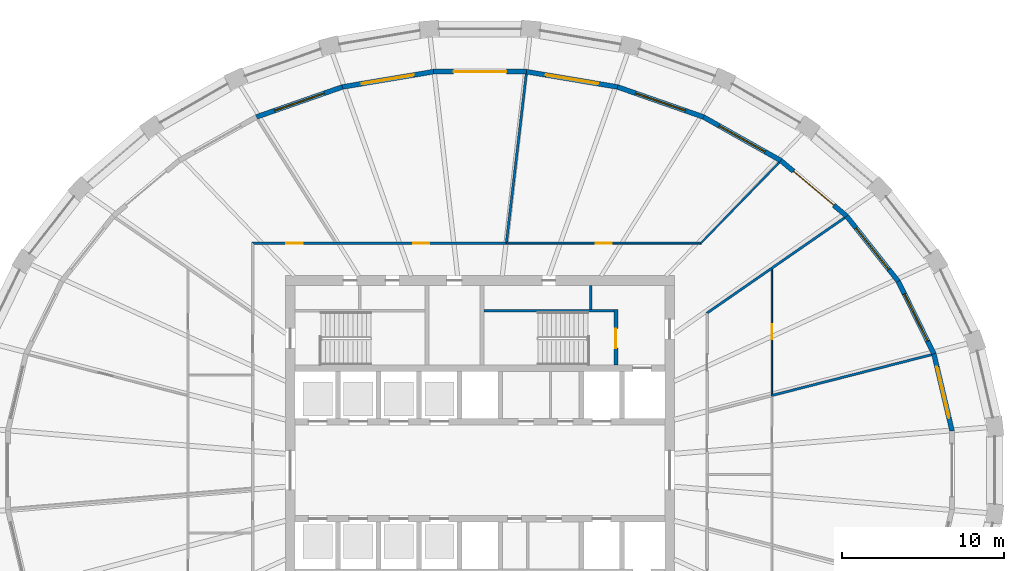
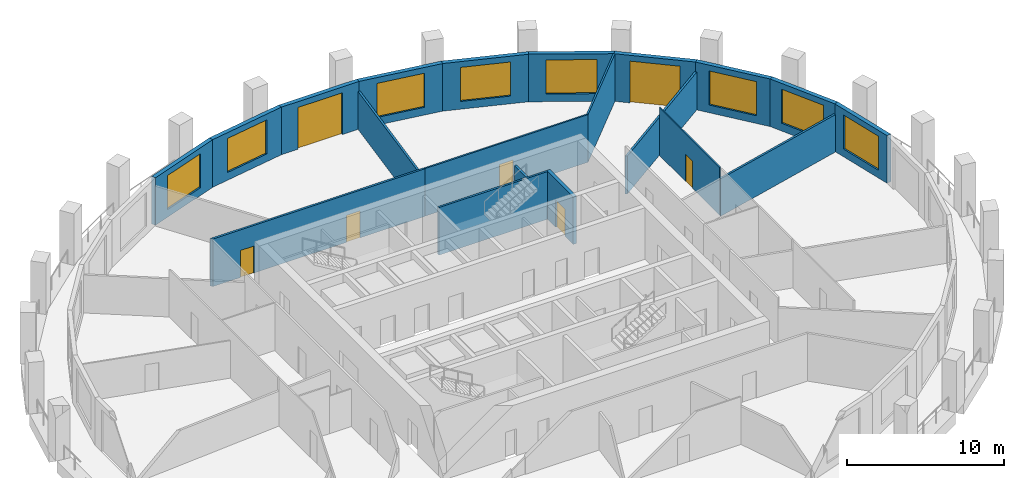
# One storey, part 7 of 11: 20 walls, 8 windows, 7 doors, 15 openings.
"""IFC4 building model written with IfcOpenShell, lengths in metres."""

from ifc_helpers import new_model, si_unit, direction, frame, frame_2d, origin, place, context, subcontext, project, spatial, polyline, rectangle, outline, extrude, material, layer, layer_set, type_object, element, fill, save


model = new_model("IFC4")

# Units and contexts
model_context = context("Model", 3, precision=1e-05, world=origin(), true_north=direction((0.0, 1.0)))
body_context = subcontext(model_context, "Body", "Model", "MODEL_VIEW")
ifc_project = project(units=[si_unit("LENGTHUNIT", "METRE"), si_unit("AREAUNIT", "SQUARE_METRE"), si_unit("VOLUMEUNIT", "CUBIC_METRE"), si_unit("PLANEANGLEUNIT", "RADIAN"), si_unit("MASSUNIT", "GRAM", prefix="KILO")], contexts=[model_context])

# Site, building, storey
site_placement = place(None, origin())
site = spatial("IfcSite", under=ifc_project, at=site_placement, CompositionType="ELEMENT")
building_placement = place(site_placement, origin())
building = spatial("IfcBuilding", under=site, at=building_placement, Name="Halqa Exchange Tower", CompositionType="ELEMENT")
storey_placement = place(building_placement, frame((0.0, 0.0, 218.89990234375)))
storey = spatial("IfcBuildingStorey", under=building, at=storey_placement, Name="L50", CompositionType="ELEMENT", Elevation=218.89990234375)

# Wall, openings, doors
ifc_material_1 = material(Name="Fire-rated gypsum board")
ifc_layer_1 = layer(ifc_material_1, 0.14990234375)
ifc_layer_set_1 = layer_set([ifc_layer_1], Name="Fire-rated gypsum board")
wall_type_1 = type_object("IfcWallType", Name="Fire partition EI 60 150", PredefinedType="PARTITIONING", material=ifc_layer_set_1)
wall_1_placement = place(storey_placement, frame((-14.074951171875, 14.0, 0.0), z_axis=(0.0, 0.0, 1.0), x_axis=(1.0, 0.0, 0.0)))
wall_1 = element("IfcWall", 1, at=wall_1_placement, inside=storey, type_object=wall_type_1, Name="L50-PWL-016", PredefinedType="PARTITIONING", context=body_context, shape_type="SweptSolid", body=[
    extrude(outline(polyline([(15.704833984375, 0.074951171875), (13.74169921875, 0.074951171875), (11.778564453125, 0.074951171875), (9.8154296875, 0.074951171875), (7.8525390625, 0.074951171875), (5.889404296875, 0.074951171875), (3.92626953125, 0.074951171875), (1.963134765625, 0.074951171875), (0.0, 0.074951171875), (0.14990234375, -0.074951171875), (2.09423828125, -0.074951171875), (4.03857421875, -0.074951171875), (5.98291015625, -0.074951171875), (7.92724609375, -0.074951171875), (9.871826171875, -0.074951171875), (11.816162109375, -0.074951171875), (13.760498046875, -0.074951171875), (15.704833984375, -0.074951171875), (15.704833984375, 0.074951171875)])), origin(), (0.0, 0.0, 1.0), 3.7001953125),
])
opening_1_placement = place(wall_1_placement, frame((9.955078125, 0.0, 0.0)))
opening_1 = element("IfcOpeningElement", 2, at=opening_1_placement, cuts=wall_1, Name="Opening 15-02", PredefinedType="OPENING", context=body_context, shape_type="SweptSolid", body=[
    extrude(rectangle(XDim=1.0, YDim=2.10009765625, at=frame_2d((0.5, 1.050048828125))), frame((0.0, 0.0869140625, 0.0), z_axis=(0.0, -1.0, 0.0), x_axis=(1.0, 0.0, 0.0)), (0.0, 0.0, 1.0), 0.173828125),
])
opening_2_placement = place(wall_1_placement, frame((2.139892578125, 0.0, 0.0)))
opening_2 = element("IfcOpeningElement", 3, at=opening_2_placement, cuts=wall_1, Name="Opening 15-03", PredefinedType="OPENING", context=body_context, shape_type="SweptSolid", body=[
    extrude(rectangle(XDim=1.0, YDim=2.10009765625, at=frame_2d((0.5, 1.050048828125))), frame((0.0, 0.0869140625, 0.0), z_axis=(0.0, -1.0, 0.0), x_axis=(1.0, 0.0, 0.0)), (0.0, 0.0, 1.0), 0.173828125),
])
ifc_material_2 = material(Name="Steel fire door leaf", Category="steel")
door_type_1 = type_object("IfcDoorType", Name="Fire door FD30S 1000 x 2100", OperationType="SINGLE_SWING_LEFT", PredefinedType="DOOR", material=ifc_material_2)
door_1_placement = place(opening_1_placement, origin())
door_1 = element("IfcDoor", 4, at=door_1_placement, inside=storey, type_object=door_type_1, Name="L50-IDR-002", OperationType="SINGLE_SWING_RIGHT", OverallHeight=2.10009765625, OverallWidth=1.0, PredefinedType="DOOR", context=body_context, shape_type="SweptSolid", body=[
    extrude(rectangle(XDim=1.0, YDim=2.10009765625, at=frame_2d((0.5, 1.050048828125))), frame((0.0, 0.02490234375, 0.0), z_axis=(0.0, -1.0, 0.0), x_axis=(1.0, 0.0, 0.0)), (0.0, 0.0, 1.0), 0.050048828125),
])
fill(opening_1, door_1)
door_2_placement = place(opening_2_placement, origin())
door_2 = element("IfcDoor", 5, at=door_2_placement, inside=storey, type_object=door_type_1, Name="L50-IDR-003", OperationType="SINGLE_SWING_LEFT", OverallHeight=2.10009765625, OverallWidth=1.0, PredefinedType="DOOR", context=body_context, shape_type="SweptSolid", body=[
    extrude(rectangle(XDim=1.0, YDim=2.10009765625, at=frame_2d((0.5, 1.050048828125))), frame((0.0, 0.02490234375, 0.0), z_axis=(0.0, -1.0, 0.0), x_axis=(1.0, 0.0, 0.0)), (0.0, 0.0, 1.0), 0.050048828125),
])
fill(opening_2, door_2)

# Walls
wall_2_placement = place(storey_placement, frame((1.6376953125, 14.06640625, 0.0), z_axis=(0.0, 0.0, 1.0), x_axis=(0.116747450487, 0.993161634783, 0.0)))
element("IfcWall", 6, at=wall_2_placement, inside=storey, type_object=wall_type_1, Name="L50-PWL-020", PredefinedType="PARTITIONING", context=body_context, shape_type="SweptSolid", body=[
    extrude(outline(polyline([(10.42041015625, -0.074951171875), (10.42041015625, 0.038818359375), (10.416259765625, 0.074951171875), (8.68017578125, 0.074951171875), (6.944091796875, 0.074951171875), (5.2080078125, 0.074951171875), (3.47216796875, 0.074951171875), (1.736083984375, 0.074951171875), (0.0, 0.074951171875), (0.0, 0.07373046875), (0.007568359375, 0.008544921875), (0.0, 0.0078125), (0.0, -0.054931640625), (0.00244140625, -0.074951171875), (1.73876953125, -0.074951171875), (3.47509765625, -0.074951171875), (5.21142578125, -0.074951171875), (6.94775390625, -0.074951171875), (8.68408203125, -0.074951171875), (10.42041015625, -0.074951171875)])), origin(), (0.0, 0.0, 1.0), 2.947021484375),
])
wall_3_placement = place(storey_placement, frame((13.9677734375, 9.66748046875, 0.0), z_axis=(0.0, 0.0, 1.0), x_axis=(0.822219313141, 0.56917080134, 0.0)))
element("IfcWall", 7, at=wall_3_placement, inside=storey, type_object=wall_type_1, Name="L50-PWL-033", PredefinedType="PARTITIONING", context=body_context, shape_type="SweptSolid", body=[
    extrude(outline(polyline([(0.07861328125, -0.074951171875), (1.649658203125, -0.074951171875), (3.220458984375, -0.074951171875), (4.791259765625, -0.074951171875), (4.79248046875, -0.0732421875), (4.794921875, -0.074951171875), (6.653076171875, -0.074951171875), (8.511474609375, -0.074951171875), (10.36962890625, -0.074951171875), (10.36962890625, -0.066162109375), (10.365234375, -0.000244140625), (10.344970703125, 0.074951171875), (8.620849609375, 0.074951171875), (6.896728515625, 0.074951171875), (5.172607421875, 0.074951171875), (3.448486328125, 0.074951171875), (1.724365234375, 0.074951171875), (0.000244140625, 0.074951171875), (0.039306640625, 0.000244140625), (0.07861328125, -0.074951171875)])), origin(), (0.0, 0.0, 1.0), 2.947021484375),
])
wall_4_placement = place(storey_placement, frame((17.95166015625, 4.59765625, 0.0), z_axis=(0.0, 0.0, 1.0), x_axis=(0.968895869382, 0.247468774381, 0.0)))
element("IfcWall", 8, at=wall_4_placement, inside=storey, type_object=wall_type_1, Name="L50-PWL-037", PredefinedType="PARTITIONING", context=body_context, shape_type="SweptSolid", body=[
    extrude(outline(polyline([(10.205810546875, -0.074951171875), (10.205810546875, 0.0078125), (10.191650390625, 0.074951171875), (8.51318359375, 0.074951171875), (6.834716796875, 0.074951171875), (5.15625, 0.074951171875), (3.477783203125, 0.074951171875), (1.799072265625, 0.074951171875), (0.12060546875, 0.074951171875), (0.12060546875, 0.07470703125), (0.1201171875, 0.074951171875), (0.0, 0.074951171875), (0.0, -0.054443359375), (0.08056640625, -0.074951171875), (1.768310546875, -0.074951171875), (3.455810546875, -0.074951171875), (5.143310546875, -0.074951171875), (6.830810546875, -0.074951171875), (8.518310546875, -0.074951171875), (10.205810546875, -0.074951171875)])), origin(), (0.0, 0.0, 1.0), 2.91015625),
])

# Wall, opening, door
ifc_material_3 = material(Name="Fire-rated glazing", Category="glass")
ifc_layer_2 = layer(ifc_material_3, 0.1201171875)
ifc_layer_set_2 = layer_set([ifc_layer_2], Name="Fire-rated glazing")
wall_type_2 = type_object("IfcWallType", Name="Glazed fire partition EI 60 120", PredefinedType="PARTITIONING", material=ifc_layer_set_2)
wall_5_placement = place(storey_placement, frame((1.6298828125, 14.0, 0.0), z_axis=(0.0, 0.0, 1.0), x_axis=(1.0, 0.0, 0.0)))
wall_5 = element("IfcWall", 9, at=wall_5_placement, inside=storey, type_object=wall_type_2, Name="L50-PWL-021", PredefinedType="PARTITIONING", context=body_context, shape_type="SweptSolid", body=[
    extrude(outline(polyline([(12.015380859375, -0.06005859375), (12.015380859375, -0.059814453125), (11.96484375, 0.06005859375), (9.970703125, 0.06005859375), (7.9765625, 0.06005859375), (5.982421875, 0.06005859375), (3.98828125, 0.06005859375), (1.994140625, 0.06005859375), (0.0, 0.06005859375), (0.0, -0.06005859375), (1.716552734375, -0.06005859375), (3.432861328125, -0.06005859375), (5.1494140625, -0.06005859375), (6.865966796875, -0.06005859375), (8.58251953125, -0.06005859375), (10.298828125, -0.06005859375), (12.015380859375, -0.06005859375)])), origin(), (0.0, 0.0, 1.0), 3.7001953125),
])
opening_3_placement = place(wall_5_placement, frame((5.4951171875, 0.0, 0.0)))
opening_3 = element("IfcOpeningElement", 10, at=opening_3_placement, cuts=wall_5, Name="Opening 15-01", PredefinedType="OPENING", context=body_context, shape_type="SweptSolid", body=[
    extrude(rectangle(XDim=1.0, YDim=2.10009765625, at=frame_2d((0.5, 1.050048828125))), frame((0.0, 0.072021484375, 0.0), z_axis=(0.0, -1.0, 0.0), x_axis=(1.0, 0.0, 0.0)), (0.0, 0.0, 1.0), 0.14404296875),
])
door_3_placement = place(opening_3_placement, origin())
door_3 = element("IfcDoor", 11, at=door_3_placement, inside=storey, type_object=door_type_1, Name="L50-IDR-001", OperationType="SINGLE_SWING_RIGHT", OverallHeight=2.10009765625, OverallWidth=1.0, PredefinedType="DOOR", context=body_context, shape_type="SweptSolid", body=[
    extrude(rectangle(XDim=1.0, YDim=2.10009765625, at=frame_2d((0.5, 1.050048828125))), frame((0.0, 0.02490234375, 0.0), z_axis=(0.0, -1.0, 0.0), x_axis=(1.0, 0.0, 0.0)), (0.0, 0.0, 1.0), 0.050048828125),
])
fill(opening_3, door_3)

# Wall
wall_6_placement = place(storey_placement, frame((13.602294921875, 13.981689453125, 0.0), z_axis=(0.0, 0.0, 1.0), x_axis=(0.697346685185, 0.716733981797, 0.0)))
element("IfcWall", 12, at=wall_6_placement, inside=storey, type_object=wall_type_2, Name="L50-PWL-025", PredefinedType="PARTITIONING", context=body_context, shape_type="SweptSolid", body=[
    extrude(outline(polyline([(6.9638671875, -0.06005859375), (6.9638671875, -0.0576171875), (6.9599609375, -0.00244140625), (6.943359375, 0.06005859375), (5.22021484375, 0.06005859375), (3.4970703125, 0.06005859375), (1.77392578125, 0.06005859375), (0.05078125, 0.06005859375), (0.05078125, 0.06005859375), (0.025390625, 0.0), (0.0, -0.06005859375), (1.740966796875, -0.06005859375), (3.48193359375, -0.06005859375), (5.222900390625, -0.06005859375), (6.9638671875, -0.06005859375)])), origin(), (0.0, 0.0, 1.0), 3.7001953125),
])

# Wall, opening, door
ifc_material_4 = material(Name="Gypsum board")
ifc_layer_3 = layer(ifc_material_4, 0.10009765625)
ifc_layer_set_3 = layer_set([ifc_layer_3], Name="Gypsum board")
wall_type_3 = type_object("IfcWallType", Name="Partition 100 gypsum", PredefinedType="PARTITIONING", material=ifc_layer_set_3)
wall_7_placement = place(storey_placement, frame((18.0, 12.402099609375, 0.0), z_axis=(0.0, 0.0, 1.0), x_axis=(0.0, -1.0, 0.0)))
wall_7 = element("IfcWall", 13, at=wall_7_placement, inside=storey, type_object=wall_type_3, Name="L50-PWL-038", PredefinedType="PARTITIONING", context=body_context, shape_type="SweptSolid", body=[
    extrude(outline(polyline([(7.72705078125, -0.050048828125), (7.72705078125, -0.04833984375), (7.701904296875, 0.050048828125), (5.7763671875, 0.050048828125), (3.850830078125, 0.050048828125), (1.925537109375, 0.050048828125), (0.0, 0.050048828125), (0.0, 0.0498046875), (0.069091796875, -0.050048828125), (1.983642578125, -0.050048828125), (3.89794921875, -0.050048828125), (5.8125, -0.050048828125), (7.72705078125, -0.050048828125)])), origin(), (0.0, 0.0, 1.0), 3.7001953125),
])
opening_4_placement = place(wall_7_placement, frame((3.4169921875, 0.0, 0.0)))
opening_4 = element("IfcOpeningElement", 14, at=opening_4_placement, cuts=wall_7, Name="Opening 15-22", PredefinedType="OPENING", context=body_context, shape_type="SweptSolid", body=[
    extrude(rectangle(XDim=0.89990234375, YDim=2.10009765625, at=frame_2d((0.449951171875, 1.050048828125))), frame((0.0, 0.06201171875, 0.0), z_axis=(0.0, -1.0, 0.0), x_axis=(1.0, 0.0, 0.0)), (0.0, 0.0, 1.0), 0.1240234375),
])
ifc_material_5 = material(Name="Timber door leaf", Category="wood")
door_type_2 = type_object("IfcDoorType", Name="Door 900 x 2100", OperationType="SINGLE_SWING_LEFT", PredefinedType="DOOR", material=ifc_material_5)
door_4_placement = place(opening_4_placement, frame((0.89990234375, 0.0, 0.0), z_axis=(0.0, 0.0, 1.0), x_axis=(-1.0, 0.0, 0.0)))
door_4 = element("IfcDoor", 15, at=door_4_placement, inside=storey, type_object=door_type_2, Name="L50-IDR-022", OperationType="SINGLE_SWING_LEFT", OverallHeight=2.10009765625, OverallWidth=0.89990234375, PredefinedType="DOOR", context=body_context, shape_type="SweptSolid", body=[
    extrude(rectangle(XDim=0.89990234375, YDim=2.10009765625, at=frame_2d((0.449951171875, 1.050048828125))), frame((0.0, 0.02490234375, 0.0), z_axis=(0.0, -1.0, 0.0), x_axis=(1.0, 0.0, 0.0)), (0.0, 0.0, 1.0), 0.050048828125),
])
fill(opening_4, door_4)

# Walls
ifc_layer_4 = layer(ifc_material_4, 0.14990234375)
ifc_layer_set_4 = layer_set([ifc_layer_4], Name="Gypsum board")
wall_type_4 = type_object("IfcWallType", Name="Penthouse riser wall 150 gypsum", PredefinedType="PARTITIONING", material=ifc_layer_set_4)
wall_8_placement = place(storey_placement, frame((6.824951171875, 9.89990234375, 0.0), z_axis=(0.0, 0.0, 1.0), x_axis=(0.0, 1.0, 0.0)))
element("IfcWall", 16, at=wall_8_placement, inside=storey, type_object=wall_type_4, Name="Firefighting lobby west wall N", PredefinedType="PARTITIONING", context=body_context, shape_type="SweptSolid", body=[
    extrude(rectangle(XDim=1.5, YDim=0.14990234375, at=frame_2d((0.75, 0.0))), origin(), (0.0, 0.0, 1.0), 3.7001953125),
])
ifc_material_6 = material(Name="Concrete C30/37", Category="concrete")
ifc_layer_5 = layer(ifc_material_6, 0.14990234375)
ifc_layer_set_5 = layer_set([ifc_layer_5], Name="Concrete C30/37")
wall_type_5 = type_object("IfcWallType", Name="RC stair wall 150 C30/37", PredefinedType="SHEAR", material=ifc_layer_set_5)
wall_9_placement = place(storey_placement, frame((0.25, 9.824951171875, 0.0), z_axis=(0.0, 0.0, 1.0), x_axis=(1.0, 0.0, 0.0)))
element("IfcWall", 17, at=wall_9_placement, inside=storey, type_object=wall_type_5, Name="Stair ST2 north wall N", PredefinedType="SHEAR", context=body_context, shape_type="SweptSolid", body=[
    extrude(rectangle(XDim=8.0, YDim=0.14990234375, at=frame_2d((4.0, 0.0))), origin(), (0.0, 0.0, 1.0), 3.7001953125),
])

# Wall, opening, door
ifc_layer_6 = layer(ifc_material_6, 0.25)
ifc_layer_set_6 = layer_set([ifc_layer_6], Name="Concrete C30/37")
wall_type_6 = type_object("IfcWallType", Name="RC stair wall 250 C30/37", PredefinedType="SHEAR", material=ifc_layer_set_6)
wall_10_placement = place(storey_placement, frame((8.375, 6.5, 0.0), z_axis=(0.0, 0.0, 1.0), x_axis=(0.0, 1.0, 0.0)))
wall_10 = element("IfcWall", 18, at=wall_10_placement, inside=storey, type_object=wall_type_6, Name="Stair ST2 east wall N", PredefinedType="SHEAR", context=body_context, shape_type="SweptSolid", body=[
    extrude(rectangle(XDim=3.39990234375, YDim=0.25, at=frame_2d((1.699951171875, 0.0))), origin(), (0.0, 0.0, 1.0), 3.7001953125),
])
opening_5_placement = place(wall_10_placement, frame((1.02490234375, 0.0, 0.0)))
opening_5 = element("IfcOpeningElement", 19, at=opening_5_placement, cuts=wall_10, Name="Opening T15-C16", PredefinedType="OPENING", context=body_context, shape_type="SweptSolid", body=[
    extrude(rectangle(XDim=1.199951171875, YDim=2.10009765625, at=frame_2d((0.60009765625, 1.050048828125))), frame((0.0, 0.136962890625, 0.0), z_axis=(0.0, -1.0, 0.0), x_axis=(1.0, 0.0, 0.0)), (0.0, 0.0, 1.0), 0.27392578125),
])
door_type_3 = type_object("IfcDoorType", Name="Stair door FD90 1200 x 2100", OperationType="SINGLE_SWING_LEFT", PredefinedType="DOOR", material=ifc_material_2)
door_5_placement = place(opening_5_placement, origin())
door_5 = element("IfcDoor", 20, at=door_5_placement, inside=storey, type_object=door_type_3, Name="Stair door ST2", OperationType="SINGLE_SWING_LEFT", OverallHeight=2.10009765625, OverallWidth=1.199951171875, PredefinedType="DOOR", context=body_context, shape_type="SweptSolid", body=[
    extrude(rectangle(XDim=1.199951171875, YDim=2.10009765625, at=frame_2d((0.60009765625, 1.050048828125))), frame((0.0, 0.02490234375, 0.0), z_axis=(0.0, -1.0, 0.0), x_axis=(1.0, 0.0, 0.0)), (0.0, 0.0, 1.0), 0.050048828125),
])
fill(opening_5, door_5)

# Wall, opening, window
ifc_material_7 = material(Name="Limestone cladding", Category="masonry")
ifc_layer_7 = layer(ifc_material_7, 0.0400390625)
ifc_material_8 = material(Name="Ventilated cavity")
ifc_layer_8 = layer(ifc_material_8, 0.030029296875, ventilated=True)
ifc_material_9 = material(Name="Mineral wool insulation")
ifc_layer_9 = layer(ifc_material_9, 0.10009765625)
ifc_layer_10 = layer(ifc_material_6, 0.10009765625)
ifc_material_10 = material(Name="Internal plaster")
ifc_layer_11 = layer(ifc_material_10, 0.030029296875)
ifc_layer_set_7 = layer_set([ifc_layer_7, ifc_layer_8, ifc_layer_9, ifc_layer_10, ifc_layer_11], Name="Stone-faced insulated wall 300")
wall_type_7 = type_object("IfcWallType", Name="Stone-faced insulated wall 300", PredefinedType="STANDARD", material=ifc_layer_set_7)
wall_11_placement = place(storey_placement, frame((29.1044921875, 2.422607421875, 0.0), z_axis=(0.0, 0.0, 1.0), x_axis=(-0.229546618766, 0.97329766763, 0.0)))
wall_11 = element("IfcWall", 21, at=wall_11_placement, inside=storey, type_object=wall_type_7, Name="Glass-line wall 1", PredefinedType="STANDARD", context=body_context, shape_type="SweptSolid", body=[
    extrude(outline(polyline([(-0.017333984375, -0.14990234375), (4.898681640625, -0.14990234375), (4.864990234375, 0.14990234375), (0.017333984375, 0.14990234375), (-0.017333984375, -0.14990234375)])), origin(), (0.0, 0.0, 1.0), 3.7001953125),
])
opening_6_placement = place(wall_11_placement, frame((0.81591796875, 0.0, 0.60009765625)))
opening_6 = element("IfcOpeningElement", 22, at=opening_6_placement, cuts=wall_11, Name="Opening W-F3-01", PredefinedType="OPENING", context=body_context, shape_type="SweptSolid", body=[
    extrude(rectangle(XDim=3.25, YDim=2.64990234375, at=frame_2d((1.625, 1.324951171875))), frame((0.0, 0.162109375, 0.0), z_axis=(0.0, -1.0, 0.0), x_axis=(1.0, 0.0, 0.0)), (0.0, 0.0, 1.0), 0.323974609375),
])
ifc_material_11 = material(Name="Clear low-emissivity glass in aluminium frame", Category="aluminium")
window_type = type_object("IfcWindowType", Name="Fixed clear glazed window 3250 x 2650", PartitioningType="TRIPLE_PANEL_VERTICAL", PredefinedType="WINDOW", material=ifc_material_11)
window_1_placement = place(opening_6_placement, origin())
window_1 = element("IfcWindow", 23, at=window_1_placement, inside=storey, type_object=window_type, Name="Window 3", OverallHeight=2.64990234375, OverallWidth=3.25, PartitioningType="TRIPLE_PANEL_VERTICAL", PredefinedType="WINDOW", context=body_context, shape_type="SweptSolid", body=[
    extrude(rectangle(XDim=3.25, YDim=2.64990234375, at=frame_2d((1.625, 1.324951171875))), frame((0.0, 0.030029296875, 0.0), z_axis=(0.0, -1.0, 0.0), x_axis=(1.0, 0.0, 0.0)), (0.0, 0.0, 1.0), 0.06005859375),
])
fill(opening_6, window_1)

wall_12_placement = place(storey_placement, frame((27.98388671875, 7.174072265625, 0.0), z_axis=(0.0, 0.0, 1.0), x_axis=(-0.440795186599, 0.897607711348, 0.0)))
wall_12 = element("IfcWall", 24, at=wall_12_placement, inside=storey, type_object=wall_type_7, Name="Glass-line wall 2", PredefinedType="STANDARD", context=body_context, shape_type="SweptSolid", body=[
    extrude(outline(polyline([(-0.016845703125, -0.14990234375), (5.000244140625, -0.14990234375), (4.968017578125, 0.14990234375), (0.016845703125, 0.14990234375), (-0.016845703125, -0.14990234375)])), origin(), (0.0, 0.0, 1.0), 3.7001953125),
])
opening_7_placement = place(wall_12_placement, frame((0.8671875, 0.0, 0.60009765625)))
opening_7 = element("IfcOpeningElement", 25, at=opening_7_placement, cuts=wall_12, Name="Opening W-F3-02", PredefinedType="OPENING", context=body_context, shape_type="SweptSolid", body=[
    extrude(rectangle(XDim=3.25, YDim=2.64990234375, at=frame_2d((1.625, 1.324951171875))), frame((0.0, 0.162109375, 0.0), z_axis=(0.0, -1.0, 0.0), x_axis=(1.0, 0.0, 0.0)), (0.0, 0.0, 1.0), 0.323974609375),
])
window_2_placement = place(opening_7_placement, origin())
window_2 = element("IfcWindow", 26, at=window_2_placement, inside=storey, type_object=window_type, Name="Window 3", OverallHeight=2.64990234375, OverallWidth=3.25, PartitioningType="TRIPLE_PANEL_VERTICAL", PredefinedType="WINDOW", context=body_context, shape_type="SweptSolid", body=[
    extrude(rectangle(XDim=3.25, YDim=2.64990234375, at=frame_2d((1.625, 1.324951171875))), frame((0.0, 0.030029296875, 0.0), z_axis=(0.0, -1.0, 0.0), x_axis=(1.0, 0.0, 0.0)), (0.0, 0.0, 1.0), 0.06005859375),
])
fill(opening_7, window_2)

wall_13_placement = place(storey_placement, frame((25.786865234375, 11.64794921875, 0.0), z_axis=(0.0, 0.0, 1.0), x_axis=(-0.621017151557, 0.783796974651, 0.0)))
wall_13 = element("IfcWall", 27, at=wall_13_placement, inside=storey, type_object=wall_type_7, Name="Glass-line wall 3", PredefinedType="STANDARD", context=body_context, shape_type="SweptSolid", body=[
    extrude(outline(polyline([(-0.01611328125, -0.14990234375), (5.14892578125, -0.14990234375), (5.11865234375, 0.14990234375), (0.01611328125, 0.14990234375), (-0.01611328125, -0.14990234375)])), origin(), (0.0, 0.0, 1.0), 3.7001953125),
])
opening_8_placement = place(wall_13_placement, frame((0.94189453125, 0.0, 0.60009765625)))
opening_8 = element("IfcOpeningElement", 28, at=opening_8_placement, cuts=wall_13, Name="Opening W-F3-03", PredefinedType="OPENING", context=body_context, shape_type="SweptSolid", body=[
    extrude(rectangle(XDim=3.25, YDim=2.64990234375, at=frame_2d((1.625, 1.324951171875))), frame((0.0, 0.162109375, 0.0), z_axis=(0.0, -1.0, 0.0), x_axis=(1.0, 0.0, 0.0)), (0.0, 0.0, 1.0), 0.323974609375),
])
window_3_placement = place(opening_8_placement, origin())
window_3 = element("IfcWindow", 29, at=window_3_placement, inside=storey, type_object=window_type, Name="Window 3", OverallHeight=2.64990234375, OverallWidth=3.25, PartitioningType="TRIPLE_PANEL_VERTICAL", PredefinedType="WINDOW", context=body_context, shape_type="SweptSolid", body=[
    extrude(rectangle(XDim=3.25, YDim=2.64990234375, at=frame_2d((1.625, 1.324951171875))), frame((0.0, 0.030029296875, 0.0), z_axis=(0.0, -1.0, 0.0), x_axis=(1.0, 0.0, 0.0)), (0.0, 0.0, 1.0), 0.06005859375),
])
fill(opening_8, window_3)

# Wall, opening, door
wall_14_placement = place(storey_placement, frame((22.5986328125, 15.671875, 0.0), z_axis=(0.0, 0.0, 1.0), x_axis=(-0.764397795062, 0.644744919255, 0.0)))
wall_14 = element("IfcWall", 30, at=wall_14_placement, inside=storey, type_object=wall_type_7, Name="Glass-line wall 4", PredefinedType="STANDARD", context=body_context, shape_type="SweptSolid", body=[
    extrude(outline(polyline([(-0.01513671875, -0.14990234375), (5.3193359375, -0.14990234375), (5.291015625, 0.14990234375), (0.01513671875, 0.14990234375), (-0.01513671875, -0.14990234375)])), origin(), (0.0, 0.0, 1.0), 3.7001953125),
])
opening_9_placement = place(wall_14_placement, frame((1.027587890625, 0.0, 0.0)))
opening_9 = element("IfcOpeningElement", 31, at=opening_9_placement, cuts=wall_14, Name="Opening LG-F3-01", PredefinedType="OPENING", context=body_context, shape_type="SweptSolid", body=[
    extrude(rectangle(XDim=3.25, YDim=3.25, at=frame_2d((1.625, 1.625))), frame((0.0, 0.162109375, 0.0), z_axis=(0.0, -1.0, 0.0), x_axis=(1.0, 0.0, 0.0)), (0.0, 0.0, 1.0), 0.323974609375),
])
door_type_4 = type_object("IfcDoorType", Name="Glazed sliding loggia door 3250 x 3250", OperationType="DOUBLE_DOOR_SLIDING", PredefinedType="DOOR", material=ifc_material_11)
door_6_placement = place(opening_9_placement, origin())
door_6 = element("IfcDoor", 32, at=door_6_placement, inside=storey, type_object=door_type_4, Name="Loggia door 1", OperationType="DOUBLE_DOOR_SLIDING", OverallHeight=3.25, OverallWidth=3.25, PredefinedType="DOOR", context=body_context, shape_type="SweptSolid", body=[
    extrude(rectangle(XDim=3.25, YDim=3.25, at=frame_2d((1.625, 1.625))), frame((0.0, 0.02490234375, 0.0), z_axis=(0.0, -1.0, 0.0), x_axis=(1.0, 0.0, 0.0)), (0.0, 0.0, 1.0), 0.050048828125),
])
fill(opening_9, door_6)

# Wall, opening, window
wall_15_placement = place(storey_placement, frame((18.54345703125, 19.09228515625, 0.0), z_axis=(0.0, 0.0, 1.0), x_axis=(-0.871207038577, 0.490915772749, 0.0)))
wall_15 = element("IfcWall", 33, at=wall_15_placement, inside=storey, type_object=wall_type_7, Name="Glass-line wall 5", PredefinedType="STANDARD", context=body_context, shape_type="SweptSolid", body=[
    extrude(outline(polyline([(-0.01416015625, -0.14990234375), (5.484375, -0.14990234375), (5.45751953125, 0.14990234375), (0.01416015625, 0.14990234375), (-0.01416015625, -0.14990234375)])), origin(), (0.0, 0.0, 1.0), 3.7001953125),
])
opening_10_placement = place(wall_15_placement, frame((1.110595703125, 0.0, 0.60009765625)))
opening_10 = element("IfcOpeningElement", 34, at=opening_10_placement, cuts=wall_15, Name="Opening W-F3-05", PredefinedType="OPENING", context=body_context, shape_type="SweptSolid", body=[
    extrude(rectangle(XDim=3.25, YDim=2.64990234375, at=frame_2d((1.625, 1.324951171875))), frame((0.0, 0.162109375, 0.0), z_axis=(0.0, -1.0, 0.0), x_axis=(1.0, 0.0, 0.0)), (0.0, 0.0, 1.0), 0.323974609375),
])
window_4_placement = place(opening_10_placement, origin())
window_4 = element("IfcWindow", 35, at=window_4_placement, inside=storey, type_object=window_type, Name="Window 3", OverallHeight=2.64990234375, OverallWidth=3.25, PartitioningType="TRIPLE_PANEL_VERTICAL", PredefinedType="WINDOW", context=body_context, shape_type="SweptSolid", body=[
    extrude(rectangle(XDim=3.25, YDim=2.64990234375, at=frame_2d((1.625, 1.324951171875))), frame((0.0, 0.030029296875, 0.0), z_axis=(0.0, -1.0, 0.0), x_axis=(1.0, 0.0, 0.0)), (0.0, 0.0, 1.0), 0.06005859375),
])
fill(opening_10, window_4)

wall_16_placement = place(storey_placement, frame((13.777099609375, 21.778076171875, 0.0), z_axis=(0.0, 0.0, 1.0), x_axis=(-0.944053670735, 0.329791853708, 0.0)))
wall_16 = element("IfcWall", 36, at=wall_16_placement, inside=storey, type_object=wall_type_7, Name="Glass-line wall 6", PredefinedType="STANDARD", context=body_context, shape_type="SweptSolid", body=[
    extrude(outline(polyline([(-0.013427734375, -0.14990234375), (5.620361328125, -0.14990234375), (5.594970703125, 0.14990234375), (0.013427734375, 0.14990234375), (-0.013427734375, -0.14990234375)])), origin(), (0.0, 0.0, 1.0), 3.7001953125),
])
opening_11_placement = place(wall_16_placement, frame((1.178955078125, 0.0, 0.60009765625)))
opening_11 = element("IfcOpeningElement", 37, at=opening_11_placement, cuts=wall_16, Name="Opening W-F3-06", PredefinedType="OPENING", context=body_context, shape_type="SweptSolid", body=[
    extrude(rectangle(XDim=3.25, YDim=2.64990234375, at=frame_2d((1.625, 1.324951171875))), frame((0.0, 0.162109375, 0.0), z_axis=(0.0, -1.0, 0.0), x_axis=(1.0, 0.0, 0.0)), (0.0, 0.0, 1.0), 0.323974609375),
])
window_5_placement = place(opening_11_placement, origin())
window_5 = element("IfcWindow", 38, at=window_5_placement, inside=storey, type_object=window_type, Name="Window 3", OverallHeight=2.64990234375, OverallWidth=3.25, PartitioningType="TRIPLE_PANEL_VERTICAL", PredefinedType="WINDOW", context=body_context, shape_type="SweptSolid", body=[
    extrude(rectangle(XDim=3.25, YDim=2.64990234375, at=frame_2d((1.625, 1.324951171875))), frame((0.0, 0.030029296875, 0.0), z_axis=(0.0, -1.0, 0.0), x_axis=(1.0, 0.0, 0.0)), (0.0, 0.0, 1.0), 0.06005859375),
])
fill(opening_11, window_5)

wall_17_placement = place(storey_placement, frame((8.483154296875, 23.62744140625, 0.0), z_axis=(0.0, 0.0, 1.0), x_axis=(-0.986218486863, 0.16544816762, 0.0)))
wall_17 = element("IfcWall", 39, at=wall_17_placement, inside=storey, type_object=wall_type_7, Name="Glass-line wall 7", PredefinedType="STANDARD", context=body_context, shape_type="SweptSolid", body=[
    extrude(outline(polyline([(-0.0126953125, -0.14990234375), (5.7099609375, -0.14990234375), (5.68505859375, 0.14990234375), (0.0126953125, 0.14990234375), (-0.0126953125, -0.14990234375)])), origin(), (0.0, 0.0, 1.0), 3.7001953125),
])
opening_12_placement = place(wall_17_placement, frame((1.2236328125, 0.0, 0.60009765625)))
opening_12 = element("IfcOpeningElement", 40, at=opening_12_placement, cuts=wall_17, Name="Opening W-F3-07", PredefinedType="OPENING", context=body_context, shape_type="SweptSolid", body=[
    extrude(rectangle(XDim=3.25, YDim=2.64990234375, at=frame_2d((1.625, 1.324951171875))), frame((0.0, 0.162109375, 0.0), z_axis=(0.0, -1.0, 0.0), x_axis=(1.0, 0.0, 0.0)), (0.0, 0.0, 1.0), 0.323974609375),
])
window_6_placement = place(opening_12_placement, origin())
window_6 = element("IfcWindow", 41, at=window_6_placement, inside=storey, type_object=window_type, Name="Window 3", OverallHeight=2.64990234375, OverallWidth=3.25, PartitioningType="TRIPLE_PANEL_VERTICAL", PredefinedType="WINDOW", context=body_context, shape_type="SweptSolid", body=[
    extrude(rectangle(XDim=3.25, YDim=2.64990234375, at=frame_2d((1.625, 1.324951171875))), frame((0.0, 0.030029296875, 0.0), z_axis=(0.0, -1.0, 0.0), x_axis=(1.0, 0.0, 0.0)), (0.0, 0.0, 1.0), 0.06005859375),
])
fill(opening_12, window_6)

# Wall, opening, door
wall_18_placement = place(storey_placement, frame((2.8642578125, 24.570068359375, 0.0), z_axis=(0.0, 0.0, 1.0), x_axis=(-1.0, 0.0, 0.0)))
wall_18 = element("IfcWall", 42, at=wall_18_placement, inside=storey, type_object=wall_type_7, Name="Glass-line wall 8", PredefinedType="STANDARD", context=body_context, shape_type="SweptSolid", body=[
    extrude(outline(polyline([(-0.012451171875, -0.14990234375), (5.740966796875, -0.14990234375), (5.716064453125, 0.14990234375), (0.012451171875, 0.14990234375), (-0.012451171875, -0.14990234375)])), origin(), (0.0, 0.0, 1.0), 3.7001953125),
])
opening_13_placement = place(wall_18_placement, frame((1.2392578125, 0.0, 0.0)))
opening_13 = element("IfcOpeningElement", 43, at=opening_13_placement, cuts=wall_18, Name="Opening LG-F3-02", PredefinedType="OPENING", context=body_context, shape_type="SweptSolid", body=[
    extrude(rectangle(XDim=3.25, YDim=3.25, at=frame_2d((1.625, 1.625))), frame((0.0, 0.162109375, 0.0), z_axis=(0.0, -1.0, 0.0), x_axis=(1.0, 0.0, 0.0)), (0.0, 0.0, 1.0), 0.323974609375),
])
door_7_placement = place(opening_13_placement, origin())
door_7 = element("IfcDoor", 44, at=door_7_placement, inside=storey, type_object=door_type_4, Name="Loggia door 2", OperationType="DOUBLE_DOOR_SLIDING", OverallHeight=3.25, OverallWidth=3.25, PredefinedType="DOOR", context=body_context, shape_type="SweptSolid", body=[
    extrude(rectangle(XDim=3.25, YDim=3.25, at=frame_2d((1.625, 1.625))), frame((0.0, 0.02490234375, 0.0), z_axis=(0.0, -1.0, 0.0), x_axis=(1.0, 0.0, 0.0)), (0.0, 0.0, 1.0), 0.050048828125),
])
fill(opening_13, door_7)

# Wall, opening, window
wall_19_placement = place(storey_placement, frame((-2.8642578125, 24.570068359375, 0.0), z_axis=(0.0, 0.0, 1.0), x_axis=(-0.986218486863, -0.16544816762, 0.0)))
wall_19 = element("IfcWall", 45, at=wall_19_placement, inside=storey, type_object=wall_type_7, Name="Glass-line wall 9", PredefinedType="STANDARD", context=body_context, shape_type="SweptSolid", body=[
    extrude(outline(polyline([(-0.012451171875, -0.14990234375), (5.710205078125, -0.14990234375), (5.684814453125, 0.14990234375), (0.012451171875, 0.14990234375), (-0.012451171875, -0.14990234375)])), origin(), (0.0, 0.0, 1.0), 3.7001953125),
])
opening_14_placement = place(wall_19_placement, frame((1.2236328125, 0.0, 0.60009765625)))
opening_14 = element("IfcOpeningElement", 46, at=opening_14_placement, cuts=wall_19, Name="Opening W-F3-09", PredefinedType="OPENING", context=body_context, shape_type="SweptSolid", body=[
    extrude(rectangle(XDim=3.25, YDim=2.64990234375, at=frame_2d((1.625, 1.324951171875))), frame((0.0, 0.162109375, 0.0), z_axis=(0.0, -1.0, 0.0), x_axis=(1.0, 0.0, 0.0)), (0.0, 0.0, 1.0), 0.323974609375),
])
window_7_placement = place(opening_14_placement, origin())
window_7 = element("IfcWindow", 47, at=window_7_placement, inside=storey, type_object=window_type, Name="Window 3", OverallHeight=2.64990234375, OverallWidth=3.25, PartitioningType="TRIPLE_PANEL_VERTICAL", PredefinedType="WINDOW", context=body_context, shape_type="SweptSolid", body=[
    extrude(rectangle(XDim=3.25, YDim=2.64990234375, at=frame_2d((1.625, 1.324951171875))), frame((0.0, 0.030029296875, 0.0), z_axis=(0.0, -1.0, 0.0), x_axis=(1.0, 0.0, 0.0)), (0.0, 0.0, 1.0), 0.06005859375),
])
fill(opening_14, window_7)

wall_20_placement = place(storey_placement, frame((-8.483154296875, 23.62744140625, 0.0), z_axis=(0.0, 0.0, 1.0), x_axis=(-0.944053670735, -0.329791853708, 0.0)))
wall_20 = element("IfcWall", 48, at=wall_20_placement, inside=storey, type_object=wall_type_7, Name="Glass-line wall 10", PredefinedType="STANDARD", context=body_context, shape_type="SweptSolid", body=[
    extrude(outline(polyline([(-0.0126953125, -0.14990234375), (5.62109375, -0.14990234375), (5.59423828125, 0.14990234375), (0.0126953125, 0.14990234375), (-0.0126953125, -0.14990234375)])), origin(), (0.0, 0.0, 1.0), 3.7001953125),
])
opening_15_placement = place(wall_20_placement, frame((1.178955078125, 0.0, 0.60009765625)))
opening_15 = element("IfcOpeningElement", 49, at=opening_15_placement, cuts=wall_20, Name="Opening W-F3-10", PredefinedType="OPENING", context=body_context, shape_type="SweptSolid", body=[
    extrude(rectangle(XDim=3.25, YDim=2.64990234375, at=frame_2d((1.625, 1.324951171875))), frame((0.0, 0.162109375, 0.0), z_axis=(0.0, -1.0, 0.0), x_axis=(1.0, 0.0, 0.0)), (0.0, 0.0, 1.0), 0.323974609375),
])
window_8_placement = place(opening_15_placement, origin())
window_8 = element("IfcWindow", 50, at=window_8_placement, inside=storey, type_object=window_type, Name="Window 3", OverallHeight=2.64990234375, OverallWidth=3.25, PartitioningType="TRIPLE_PANEL_VERTICAL", PredefinedType="WINDOW", context=body_context, shape_type="SweptSolid", body=[
    extrude(rectangle(XDim=3.25, YDim=2.64990234375, at=frame_2d((1.625, 1.324951171875))), frame((0.0, 0.030029296875, 0.0), z_axis=(0.0, -1.0, 0.0), x_axis=(1.0, 0.0, 0.0)), (0.0, 0.0, 1.0), 0.06005859375),
])
fill(opening_15, window_8)

save(model, "model.ifc")
